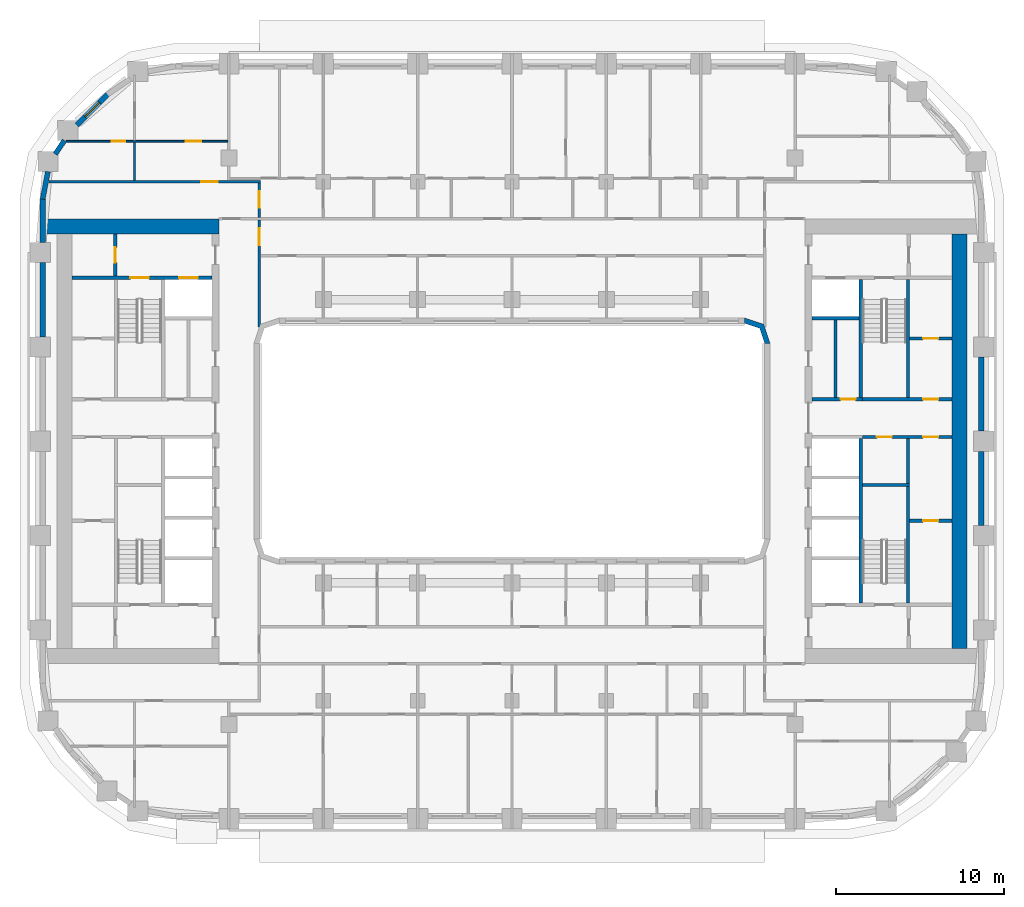
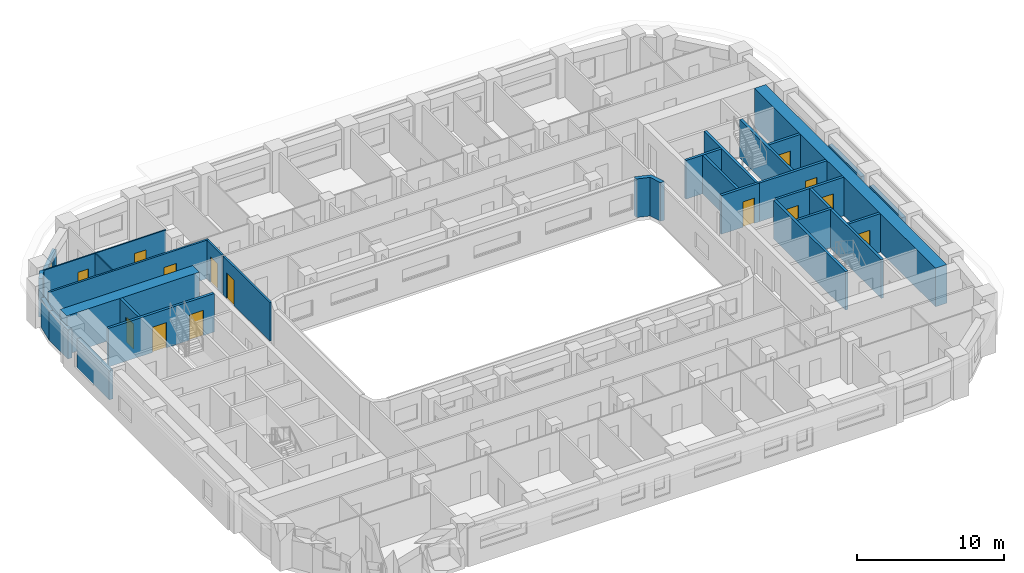
# One storey, part 8 of 23: 30 walls, 14 doors, 1 window, 15 openings.
"""IFC4 building model written with IfcOpenShell, lengths in metres."""

from ifc_helpers import new_model, si_unit, direction, frame, frame_2d, origin, place, context, subcontext, project, spatial, polyline, rectangle, outline, extrude, material, layer, layer_set, type_object, element, fill, save


model = new_model("IFC4")

# Units and contexts
model_context = context("Model", 3, precision=1e-05, world=origin(), true_north=direction((0.0, 1.0)))
body_context = subcontext(model_context, "Body", "Model", "MODEL_VIEW")
ifc_project = project(units=[si_unit("LENGTHUNIT", "METRE"), si_unit("AREAUNIT", "SQUARE_METRE"), si_unit("VOLUMEUNIT", "CUBIC_METRE"), si_unit("PLANEANGLEUNIT", "RADIAN"), si_unit("MASSUNIT", "GRAM", prefix="KILO")], contexts=[model_context])

# Site, building, storey
site_placement = place(None, origin())
site = spatial("IfcSite", under=ifc_project, at=site_placement, CompositionType="ELEMENT")
building_placement = place(site_placement, origin())
building = spatial("IfcBuilding", under=site, at=building_placement, Name="Kiln Ring Residences", CompositionType="ELEMENT")
storey_placement = place(building_placement, frame((0.0, 0.0, 118.300048828125)))
storey = spatial("IfcBuildingStorey", under=building, at=storey_placement, Name="L30", CompositionType="ELEMENT", Elevation=118.300048828125)

# Wall, opening, door
ifc_material_1 = material(Name="Gypsum board on steel studs", Category="steel")
ifc_layer_1 = layer(ifc_material_1, 0.199951171875)
ifc_layer_set_1 = layer_set([ifc_layer_1], Name="CORE-PARTITION-200")
wall_type_1 = type_object("IfcWallType", Name="CORE-PARTITION-200", PredefinedType="PARTITIONING", material=ifc_layer_set_1)
wall_1_placement = place(storey_placement, frame((-23.550048828125, 9.800048828125, 0.0), z_axis=(0.0, 0.0, 1.0), x_axis=(0.0, 1.0, 0.0)))
wall_1 = element("IfcWall", 1, at=wall_1_placement, inside=storey, type_object=wall_type_1, Name="Core partition west L30 4", PredefinedType="PARTITIONING", context=body_context, shape_type="SweptSolid", body=[
    extrude(rectangle(XDim=2.5, YDim=0.199951171875, at=frame_2d((1.25, 0.0))), origin(), (0.0, 0.0, 1.0), 3.199951171875),
])
opening_1_placement = place(wall_1_placement, frame((0.800048828125, 0.0, 0.0)))
opening_1 = element("IfcOpeningElement", 2, at=opening_1_placement, cuts=wall_1, Name="Opening L30-CW10", PredefinedType="OPENING", context=body_context, shape_type="SweptSolid", body=[
    extrude(rectangle(XDim=0.89990234375, YDim=2.10009765625, at=frame_2d((0.449951171875, 1.050048828125))), frame((0.0, 0.10986328125, 0.0), z_axis=(0.0, -1.0, 0.0), x_axis=(1.0, 0.0, 0.0)), (0.0, 0.0, 1.0), 0.219970703125),
])
ifc_material_2 = material(Name="Steel door leaf", Category="steel")
door_type_1 = type_object("IfcDoorType", Name="CORE-DOOR-ROOM", OperationType="SINGLE_SWING_LEFT", PredefinedType="DOOR", material=ifc_material_2)
door_1_placement = place(opening_1_placement, origin())
door_1 = element("IfcDoor", 3, at=door_1_placement, inside=storey, type_object=door_type_1, Name="Fire riser room L30-CW10", OperationType="SINGLE_SWING_RIGHT", OverallHeight=2.10009765625, OverallWidth=0.89990234375, PredefinedType="DOOR", context=body_context, shape_type="SweptSolid", body=[
    extrude(rectangle(XDim=0.89990234375, YDim=2.10009765625, at=frame_2d((0.449951171875, 1.050048828125))), frame((0.0, 0.02490234375, 0.0), z_axis=(0.0, -1.0, 0.0), x_axis=(1.0, 0.0, 0.0)), (0.0, 0.0, 1.0), 0.050048828125),
])
fill(opening_1, door_1)

# Wall
wall_2_placement = place(storey_placement, frame((23.5, -2.5, 0.0), z_axis=(0.0, 0.0, 1.0), x_axis=(0.0, 1.0, 0.0)))
element("IfcWall", 4, at=wall_2_placement, inside=storey, type_object=wall_type_1, Name="Core partition east L30 1", PredefinedType="PARTITIONING", context=body_context, shape_type="SweptSolid", body=[
    extrude(rectangle(XDim=2.64990234375, YDim=0.199951171875, at=frame_2d((1.324951171875, 0.0))), origin(), (0.0, 0.0, 1.0), 3.199951171875),
])

# Wall, openings, doors
wall_3_placement = place(storey_placement, frame((20.800048828125, 0.25, 0.0), z_axis=(0.0, 0.0, 1.0), x_axis=(1.0, 0.0, 0.0)))
wall_3 = element("IfcWall", 5, at=wall_3_placement, inside=storey, type_object=wall_type_1, Name="Core partition east L30 2", PredefinedType="PARTITIONING", context=body_context, shape_type="SweptSolid", body=[
    extrude(rectangle(XDim=5.300048828125, YDim=0.199951171875, at=frame_2d((2.64990234375, 0.0))), origin(), (0.0, 0.0, 1.0), 3.199951171875),
])
opening_2_placement = place(wall_3_placement, frame((0.85009765625, 0.0, 0.0)))
opening_2 = element("IfcOpeningElement", 6, at=opening_2_placement, cuts=wall_3, Name="Opening L30-CE15", PredefinedType="OPENING", context=body_context, shape_type="SweptSolid", body=[
    extrude(rectangle(XDim=0.89990234375, YDim=2.10009765625, at=frame_2d((0.449951171875, 1.050048828125))), frame((0.0, 0.10986328125, 0.0), z_axis=(0.0, -1.0, 0.0), x_axis=(1.0, 0.0, 0.0)), (0.0, 0.0, 1.0), 0.219970703125),
])
opening_3_placement = place(wall_3_placement, frame((3.60009765625, 0.0, 0.0)))
opening_3 = element("IfcOpeningElement", 7, at=opening_3_placement, cuts=wall_3, Name="Opening L30-CE17", PredefinedType="OPENING", context=body_context, shape_type="SweptSolid", body=[
    extrude(rectangle(XDim=0.89990234375, YDim=2.10009765625, at=frame_2d((0.449951171875, 1.050048828125))), frame((0.0, 0.10986328125, 0.0), z_axis=(0.0, -1.0, 0.0), x_axis=(1.0, 0.0, 0.0)), (0.0, 0.0, 1.0), 0.219970703125),
])
door_2_placement = place(opening_2_placement, origin())
door_2 = element("IfcDoor", 8, at=door_2_placement, inside=storey, type_object=door_type_1, Name="Comms room L30-CE15", OperationType="SINGLE_SWING_RIGHT", OverallHeight=2.10009765625, OverallWidth=0.89990234375, PredefinedType="DOOR", context=body_context, shape_type="SweptSolid", body=[
    extrude(rectangle(XDim=0.89990234375, YDim=2.10009765625, at=frame_2d((0.449951171875, 1.050048828125))), frame((0.0, 0.02490234375, 0.0), z_axis=(0.0, -1.0, 0.0), x_axis=(1.0, 0.0, 0.0)), (0.0, 0.0, 1.0), 0.050048828125),
])
fill(opening_2, door_2)
door_3_placement = place(opening_3_placement, origin())
door_3 = element("IfcDoor", 9, at=door_3_placement, inside=storey, type_object=door_type_1, Name="Meter room L30-CE17", OperationType="SINGLE_SWING_RIGHT", OverallHeight=2.10009765625, OverallWidth=0.89990234375, PredefinedType="DOOR", context=body_context, shape_type="SweptSolid", body=[
    extrude(rectangle(XDim=0.89990234375, YDim=2.10009765625, at=frame_2d((0.449951171875, 1.050048828125))), frame((0.0, 0.02490234375, 0.0), z_axis=(0.0, -1.0, 0.0), x_axis=(1.0, 0.0, 0.0)), (0.0, 0.0, 1.0), 0.050048828125),
])
fill(opening_3, door_3)

# Wall
wall_4_placement = place(storey_placement, frame((19.199951171875, 2.60009765625, 0.0), z_axis=(0.0, 0.0, 1.0), x_axis=(0.0, 1.0, 0.0)))
element("IfcWall", 10, at=wall_4_placement, inside=storey, type_object=wall_type_1, Name="Core partition east L30 3", PredefinedType="PARTITIONING", context=body_context, shape_type="SweptSolid", body=[
    extrude(rectangle(XDim=4.599853515625, YDim=0.199951171875, at=frame_2d((2.2998046875, 0.0))), origin(), (0.0, 0.0, 1.0), 3.199951171875),
])

# Wall, opening, door
wall_5_placement = place(storey_placement, frame((23.60009765625, -4.72509765625, 0.0), z_axis=(0.0, 0.0, 1.0), x_axis=(1.0, 0.0, 0.0)))
wall_5 = element("IfcWall", 11, at=wall_5_placement, inside=storey, type_object=wall_type_1, Name="Core partition east L30 6", PredefinedType="PARTITIONING", context=body_context, shape_type="SweptSolid", body=[
    extrude(rectangle(XDim=2.5, YDim=0.199951171875, at=frame_2d((1.25, 0.0))), origin(), (0.0, 0.0, 1.0), 3.199951171875),
])
opening_4_placement = place(wall_5_placement, frame((0.800048828125, 0.0, 0.0)))
opening_4 = element("IfcOpeningElement", 12, at=opening_4_placement, cuts=wall_5, Name="Opening L30-CE16", PredefinedType="OPENING", context=body_context, shape_type="SweptSolid", body=[
    extrude(rectangle(XDim=0.89990234375, YDim=2.10009765625, at=frame_2d((0.449951171875, 1.050048828125))), frame((0.0, 0.10986328125, 0.0), z_axis=(0.0, -1.0, 0.0), x_axis=(1.0, 0.0, 0.0)), (0.0, 0.0, 1.0), 0.219970703125),
])
door_4_placement = place(opening_4_placement, origin())
door_4 = element("IfcDoor", 13, at=door_4_placement, inside=storey, type_object=door_type_1, Name="Meter room L30-CE16", OperationType="SINGLE_SWING_RIGHT", OverallHeight=2.10009765625, OverallWidth=0.89990234375, PredefinedType="DOOR", context=body_context, shape_type="SweptSolid", body=[
    extrude(rectangle(XDim=0.89990234375, YDim=2.10009765625, at=frame_2d((0.449951171875, 1.050048828125))), frame((0.0, 0.02490234375, 0.0), z_axis=(0.0, -1.0, 0.0), x_axis=(1.0, 0.0, 0.0)), (0.0, 0.0, 1.0), 0.050048828125),
])
fill(opening_4, door_4)

wall_6_placement = place(storey_placement, frame((23.60009765625, 6.10009765625, 0.0), z_axis=(0.0, 0.0, 1.0), x_axis=(1.0, 0.0, 0.0)))
wall_6 = element("IfcWall", 14, at=wall_6_placement, inside=storey, type_object=wall_type_1, Name="Core partition east L30 7", PredefinedType="PARTITIONING", context=body_context, shape_type="SweptSolid", body=[
    extrude(rectangle(XDim=2.5, YDim=0.199951171875, at=frame_2d((1.25, 0.0))), origin(), (0.0, 0.0, 1.0), 3.199951171875),
])
opening_5_placement = place(wall_6_placement, frame((0.800048828125, 0.0, 0.0)))
opening_5 = element("IfcOpeningElement", 15, at=opening_5_placement, cuts=wall_6, Name="Opening L30-CE18", PredefinedType="OPENING", context=body_context, shape_type="SweptSolid", body=[
    extrude(rectangle(XDim=0.89990234375, YDim=2.10009765625, at=frame_2d((0.449951171875, 1.050048828125))), frame((0.0, 0.10986328125, 0.0), z_axis=(0.0, -1.0, 0.0), x_axis=(1.0, 0.0, 0.0)), (0.0, 0.0, 1.0), 0.219970703125),
])
door_5_placement = place(opening_5_placement, origin())
door_5 = element("IfcDoor", 16, at=door_5_placement, inside=storey, type_object=door_type_1, Name="Comms room L30-CE18", OperationType="SINGLE_SWING_RIGHT", OverallHeight=2.10009765625, OverallWidth=0.89990234375, PredefinedType="DOOR", context=body_context, shape_type="SweptSolid", body=[
    extrude(rectangle(XDim=0.89990234375, YDim=2.10009765625, at=frame_2d((0.449951171875, 1.050048828125))), frame((0.0, 0.02490234375, 0.0), z_axis=(0.0, -1.0, 0.0), x_axis=(1.0, 0.0, 0.0)), (0.0, 0.0, 1.0), 0.050048828125),
])
fill(opening_5, door_5)

ifc_material_3 = material(Name="Gypsum shaft wall system")
ifc_layer_2 = layer(ifc_material_3, 0.199951171875)
ifc_layer_set_2 = layer_set([ifc_layer_2], Name="CORE-SHAFT-WALL-200")
wall_type_2 = type_object("IfcWallType", Name="CORE-SHAFT-WALL-200", PredefinedType="PARTITIONING", material=ifc_layer_set_2)
wall_7_placement = place(storey_placement, frame((17.800048828125, 2.5, 0.0), z_axis=(0.0, 0.0, 1.0), x_axis=(1.0, 0.0, 0.0)))
wall_7 = element("IfcWall", 17, at=wall_7_placement, inside=storey, type_object=wall_type_2, Name="Core partition east L30 12", PredefinedType="PARTITIONING", context=body_context, shape_type="SweptSolid", body=[
    extrude(rectangle(XDim=3.0, YDim=0.199951171875, at=frame_2d((1.5, 0.0))), origin(), (0.0, 0.0, 1.0), 3.199951171875),
])
opening_6_placement = place(wall_7_placement, frame((1.699951171875, 0.0, 0.0)))
opening_6 = element("IfcOpeningElement", 18, at=opening_6_placement, cuts=wall_7, Name="Opening L30-CE06", PredefinedType="OPENING", context=body_context, shape_type="SweptSolid", body=[
    extrude(rectangle(XDim=0.89990234375, YDim=2.10009765625, at=frame_2d((0.449951171875, 1.050048828125))), frame((0.0, 0.10986328125, 0.0), z_axis=(0.0, -1.0, 0.0), x_axis=(1.0, 0.0, 0.0)), (0.0, 0.0, 1.0), 0.219970703125),
])
door_6_placement = place(opening_6_placement, origin())
door_6 = element("IfcDoor", 19, at=door_6_placement, inside=storey, type_object=door_type_1, Name="Linen store L30-CE06", OperationType="SINGLE_SWING_RIGHT", OverallHeight=2.10009765625, OverallWidth=0.89990234375, PredefinedType="DOOR", context=body_context, shape_type="SweptSolid", body=[
    extrude(rectangle(XDim=0.89990234375, YDim=2.10009765625, at=frame_2d((0.449951171875, 1.050048828125))), frame((0.0, 0.02490234375, 0.0), z_axis=(0.0, -1.0, 0.0), x_axis=(1.0, 0.0, 0.0)), (0.0, 0.0, 1.0), 0.050048828125),
])
fill(opening_6, door_6)

# Wall
wall_8_placement = place(storey_placement, frame((17.800048828125, 7.300048828125, 0.0), z_axis=(0.0, 0.0, 1.0), x_axis=(1.0, 0.0, 0.0)))
element("IfcWall", 20, at=wall_8_placement, inside=storey, type_object=wall_type_2, Name="Core partition east L30 13", PredefinedType="PARTITIONING", context=body_context, shape_type="SweptSolid", body=[
    extrude(rectangle(XDim=2.800048828125, YDim=0.199951171875, at=frame_2d((1.39990234375, 0.0))), origin(), (0.0, 0.0, 1.0), 3.199951171875),
])

# Wall, openings, doors
ifc_material_4 = material(Name="Concrete C40/50", Category="concrete")
ifc_layer_3 = layer(ifc_material_4, 0.199951171875)
ifc_layer_set_3 = layer_set([ifc_layer_3], Name="CORE-WALL-RC200")
wall_type_3 = type_object("IfcWallType", Name="CORE-WALL-RC200", PredefinedType="SHEAR", material=ifc_layer_set_3)
wall_9_placement = place(storey_placement, frame((-17.800048828125, 9.699951171875, 0.0), z_axis=(0.0, 0.0, 1.0), x_axis=(-1.0, 0.0, 0.0)))
wall_9 = element("IfcWall", 21, at=wall_9_placement, inside=storey, type_object=wall_type_3, Name="Core wall west L30 9", PredefinedType="SHEAR", context=body_context, shape_type="SweptSolid", body=[
    extrude(rectangle(XDim=8.300048828125, YDim=0.199951171875, at=frame_2d((4.14990234375, 0.0))), origin(), (0.0, 0.0, 1.0), 3.199951171875),
])
opening_7_placement = place(wall_9_placement, frame((0.85009765625, 0.0, 0.0)))
opening_7 = element("IfcOpeningElement", 22, at=opening_7_placement, cuts=wall_9, Name="Opening L30-CW07", PredefinedType="OPENING", context=body_context, shape_type="SweptSolid", body=[
    extrude(rectangle(XDim=1.10009765625, YDim=2.10009765625, at=frame_2d((0.550048828125, 1.050048828125))), frame((0.0, 0.10986328125, 0.0), z_axis=(0.0, -1.0, 0.0), x_axis=(1.0, 0.0, 0.0)), (0.0, 0.0, 1.0), 0.219970703125),
])
opening_8_placement = place(wall_9_placement, frame((3.75, 0.0, 0.0)))
opening_8 = element("IfcOpeningElement", 23, at=opening_8_placement, cuts=wall_9, Name="Opening L30-CW12", PredefinedType="OPENING", context=body_context, shape_type="SweptSolid", body=[
    extrude(rectangle(XDim=1.10009765625, YDim=2.10009765625, at=frame_2d((0.550048828125, 1.050048828125))), frame((0.0, 0.10986328125, 0.0), z_axis=(0.0, -1.0, 0.0), x_axis=(1.0, 0.0, 0.0)), (0.0, 0.0, 1.0), 0.219970703125),
])
ifc_material_5 = material(Name="Steel door leaf", Category="steel")
door_type_2 = type_object("IfcDoorType", Name="CORE-DOOR-LD", OperationType="DOUBLE_DOOR_SLIDING", PredefinedType="DOOR", material=ifc_material_5)
door_7_placement = place(opening_7_placement, origin())
door_7 = element("IfcDoor", 24, at=door_7_placement, inside=storey, type_object=door_type_2, Name="LD W-FF L30-CW07", OperationType="DOUBLE_DOOR_SLIDING", OverallHeight=2.10009765625, OverallWidth=1.10009765625, PredefinedType="DOOR", context=body_context, shape_type="SweptSolid", body=[
    extrude(rectangle(XDim=1.10009765625, YDim=2.10009765625, at=frame_2d((0.550048828125, 1.050048828125))), frame((0.0, 0.02490234375, 0.0), z_axis=(0.0, -1.0, 0.0), x_axis=(1.0, 0.0, 0.0)), (0.0, 0.0, 1.0), 0.050048828125),
])
fill(opening_7, door_7)
ifc_material_6 = material(Name="Steel door leaf", Category="steel")
door_type_3 = type_object("IfcDoorType", Name="CORE-DOOR-STAIR", OperationType="SINGLE_SWING_LEFT", PredefinedType="DOOR", material=ifc_material_6)
door_8_placement = place(opening_8_placement, origin())
door_8 = element("IfcDoor", 25, at=door_8_placement, inside=storey, type_object=door_type_3, Name="Stair W-STN L30-CW12", OperationType="SINGLE_SWING_RIGHT", OverallHeight=2.10009765625, OverallWidth=1.10009765625, PredefinedType="DOOR", context=body_context, shape_type="SweptSolid", body=[
    extrude(rectangle(XDim=1.10009765625, YDim=2.10009765625, at=frame_2d((0.550048828125, 1.050048828125))), frame((0.0, 0.02490234375, 0.0), z_axis=(0.0, -1.0, 0.0), x_axis=(1.0, 0.0, 0.0)), (0.0, 0.0, 1.0), 0.050048828125),
])
fill(opening_8, door_8)

# Walls
wall_10_placement = place(storey_placement, frame((20.699951171875, 2.60009765625, 0.0), z_axis=(0.0, 0.0, 1.0), x_axis=(0.0, 1.0, 0.0)))
element("IfcWall", 26, at=wall_10_placement, inside=storey, type_object=wall_type_3, Name="Core wall east L30 1", PredefinedType="SHEAR", context=body_context, shape_type="SweptSolid", body=[
    extrude(rectangle(XDim=7.0, YDim=0.199951171875, at=frame_2d((3.5, 0.0))), origin(), (0.0, 0.0, 1.0), 3.199951171875),
])
wall_11_placement = place(storey_placement, frame((20.699951171875, -9.60009765625, 0.0), z_axis=(0.0, 0.0, 1.0), x_axis=(0.0, 1.0, 0.0)))
element("IfcWall", 27, at=wall_11_placement, inside=storey, type_object=wall_type_3, Name="Core wall east L30 2", PredefinedType="SHEAR", context=body_context, shape_type="SweptSolid", body=[
    extrude(rectangle(XDim=9.75, YDim=0.199951171875, at=frame_2d((4.875, 0.0))), origin(), (0.0, 0.0, 1.0), 3.199951171875),
])

# Wall, opening, door
wall_12_placement = place(storey_placement, frame((20.800048828125, 2.5, 0.0), z_axis=(0.0, 0.0, 1.0), x_axis=(1.0, 0.0, 0.0)))
wall_12 = element("IfcWall", 28, at=wall_12_placement, inside=storey, type_object=wall_type_3, Name="Core wall east L30 3", PredefinedType="SHEAR", context=body_context, shape_type="SweptSolid", body=[
    extrude(rectangle(XDim=5.300048828125, YDim=0.199951171875, at=frame_2d((2.64990234375, 0.0))), origin(), (0.0, 0.0, 1.0), 3.199951171875),
])
opening_9_placement = place(wall_12_placement, frame((3.60009765625, 0.0, 0.0)))
opening_9 = element("IfcOpeningElement", 29, at=opening_9_placement, cuts=wall_12, Name="Opening L30-CE19", PredefinedType="OPENING", context=body_context, shape_type="SweptSolid", body=[
    extrude(rectangle(XDim=0.89990234375, YDim=2.10009765625, at=frame_2d((0.449951171875, 1.050048828125))), frame((0.0, 0.10986328125, 0.0), z_axis=(0.0, -1.0, 0.0), x_axis=(1.0, 0.0, 0.0)), (0.0, 0.0, 1.0), 0.219970703125),
])
door_9_placement = place(opening_9_placement, origin())
door_9 = element("IfcDoor", 30, at=door_9_placement, inside=storey, type_object=door_type_1, Name="Electrical plant room L30-CE19", OperationType="SINGLE_SWING_LEFT", OverallHeight=2.10009765625, OverallWidth=0.89990234375, PredefinedType="DOOR", context=body_context, shape_type="SweptSolid", body=[
    extrude(rectangle(XDim=0.89990234375, YDim=2.10009765625, at=frame_2d((0.449951171875, 1.050048828125))), frame((0.0, 0.02490234375, 0.0), z_axis=(0.0, -1.0, 0.0), x_axis=(1.0, 0.0, 0.0)), (0.0, 0.0, 1.0), 0.050048828125),
])
fill(opening_9, door_9)

# Walls
wall_13_placement = place(storey_placement, frame((23.5, 2.60009765625, 0.0), z_axis=(0.0, 0.0, 1.0), x_axis=(0.0, 1.0, 0.0)))
element("IfcWall", 31, at=wall_13_placement, inside=storey, type_object=wall_type_3, Name="Core wall east L30 10", PredefinedType="SHEAR", context=body_context, shape_type="SweptSolid", body=[
    extrude(rectangle(XDim=7.0, YDim=0.199951171875, at=frame_2d((3.5, 0.0))), origin(), (0.0, 0.0, 1.0), 3.199951171875),
])
wall_14_placement = place(storey_placement, frame((23.5, -9.60009765625, 0.0), z_axis=(0.0, 0.0, 1.0), x_axis=(0.0, 1.0, 0.0)))
element("IfcWall", 32, at=wall_14_placement, inside=storey, type_object=wall_type_3, Name="Core wall east L30 11", PredefinedType="SHEAR", context=body_context, shape_type="SweptSolid", body=[
    extrude(rectangle(XDim=6.900146484375, YDim=0.199951171875, at=frame_2d((3.4501953125, 0.0))), origin(), (0.0, 0.0, 1.0), 3.199951171875),
])
wall_15_placement = place(storey_placement, frame((20.800048828125, -2.60009765625, 0.0), z_axis=(0.0, 0.0, 1.0), x_axis=(1.0, 0.0, 0.0)))
element("IfcWall", 33, at=wall_15_placement, inside=storey, type_object=wall_type_3, Name="Core wall east L30 12", PredefinedType="SHEAR", context=body_context, shape_type="SweptSolid", body=[
    extrude(rectangle(XDim=2.800048828125, YDim=0.199951171875, at=frame_2d((1.39990234375, 0.0))), origin(), (0.0, 0.0, 1.0), 3.199951171875),
])
ifc_material_7 = material(Name="Concrete C60/75", Category="concrete")
ifc_layer_4 = layer(ifc_material_7, 0.89990234375)
ifc_layer_set_4 = layer_set([ifc_layer_4], Name="CORE-WALL-RC900")
wall_type_4 = type_object("IfcWallType", Name="CORE-WALL-RC900", PredefinedType="SHEAR", material=ifc_layer_set_4)
wall_16_placement = place(storey_placement, frame((-17.39990234375, 12.75, 0.0), z_axis=(0.0, 0.0, 1.0), x_axis=(-1.0, 0.0, 0.0)))
element("IfcWall", 34, at=wall_16_placement, inside=storey, type_object=wall_type_4, Name="Core wall west L30 4", PredefinedType="SHEAR", context=body_context, shape_type="SweptSolid", body=[
    extrude(rectangle(XDim=10.400146484375, YDim=0.89990234375, at=frame_2d((5.2001953125, 0.0))), origin(), (0.0, 0.0, 1.0), 3.199951171875),
])
wall_17_placement = place(storey_placement, frame((26.550048828125, -12.300048828125, 0.0), z_axis=(0.0, 0.0, 1.0), x_axis=(0.0, 1.0, 0.0)))
element("IfcWall", 35, at=wall_17_placement, inside=storey, type_object=wall_type_4, Name="Core wall east L30 7", PredefinedType="SHEAR", context=body_context, shape_type="SweptSolid", body=[
    extrude(rectangle(XDim=24.60009765625, YDim=0.89990234375, at=frame_2d((12.300048828125, 0.0))), origin(), (0.0, 0.0, 1.0), 3.199951171875),
])
ifc_material_8 = material(Name="Brick masonry, dark clay brick", Category="masonry")
ifc_layer_5 = layer(ifc_material_8, 0.300048828125)
ifc_layer_set_5 = layer_set([ifc_layer_5], Name="EW-300 BRICK WALL")
wall_type_5 = type_object("IfcWallType", Name="EW-300 BRICK WALL", PredefinedType="SOLIDWALL", material=ifc_layer_set_5)
for number, where, z_axis, x_axis, name in (
    (36, (27.85009765625, -5.0, 0.0), (0.0, 0.0, 1.0), (0.0, 1.0, 0.0), "Facade wall L30 19"),
    (37, (27.85009765625, 0.60009765625, 0.0), (0.0, 0.0, 1.0), (0.0, 1.0, 0.0), "Facade wall L30 20"),
):
    element("IfcWall", number, at=place(storey_placement, frame(where, z_axis=z_axis, x_axis=x_axis)), inside=storey, type_object=wall_type_5, Name=name, PredefinedType="SOLIDWALL", context=body_context, shape_type="SweptSolid", body=[
        extrude(rectangle(XDim=4.39990234375, YDim=0.300048828125, at=frame_2d((2.199951171875, 0.0))), origin(), (0.0, 0.0, 1.0), 2.39990234375),
    ])

# Wall, opening, window
wall_18_placement = place(storey_placement, frame((-23.990966796875, 20.596923828125, 0.0), z_axis=(0.0, 0.0, 1.0), x_axis=(-0.707106781187, -0.707106781187, 0.0)))
wall_18 = element("IfcWall", 38, at=wall_18_placement, inside=storey, type_object=wall_type_5, Name="Facade wall L30 38", PredefinedType="SOLIDWALL", context=body_context, shape_type="SweptSolid", body=[
    extrude(rectangle(XDim=2.60009765625, YDim=0.300048828125, at=frame_2d((1.300048828125, 0.0))), origin(), (0.0, 0.0, 1.0), 2.39990234375),
])
opening_10_placement = place(wall_18_placement, frame((0.699951171875, 0.0, 0.60009765625)))
opening_10 = element("IfcOpeningElement", 39, at=opening_10_placement, cuts=wall_18, Name="Opening W1", PredefinedType="OPENING", context=body_context, shape_type="SweptSolid", body=[
    extrude(rectangle(XDim=1.199951171875, YDim=1.550048828125, at=frame_2d((0.60009765625, 0.77490234375))), frame((0.0, 0.159912109375, 0.0), z_axis=(0.0, -1.0, 0.0), x_axis=(1.0, 0.0, 0.0)), (0.0, 0.0, 1.0), 0.320068359375),
])
ifc_material_9 = material(Name="Aluminium frame with double glazing", Category="aluminium")
window_type = type_object("IfcWindowType", Name="WINDOW 1200 x 1550", PartitioningType="SINGLE_PANEL", PredefinedType="WINDOW", material=ifc_material_9)
window_placement = place(opening_10_placement, origin())
window = element("IfcWindow", 40, at=window_placement, inside=storey, type_object=window_type, Name="Window L30 25", OverallHeight=1.550048828125, OverallWidth=1.199951171875, PartitioningType="SINGLE_PANEL", PredefinedType="WINDOW", context=body_context, shape_type="SweptSolid", body=[
    extrude(rectangle(XDim=1.199951171875, YDim=1.550048828125, at=frame_2d((0.60009765625, 0.77490234375))), frame((0.0, 0.030029296875, 0.0), z_axis=(0.0, -1.0, 0.0), x_axis=(1.0, 0.0, 0.0)), (0.0, 0.0, 1.0), 0.06005859375),
])
fill(opening_10, window)

# Walls
wall_19_placement = place(storey_placement, frame((-26.560546875, 17.85107421875, 0.0), z_axis=(0.0, 0.0, 1.0), x_axis=(-0.562173331661, -0.827019434577, 0.0)))
element("IfcWall", 41, at=wall_19_placement, inside=storey, type_object=wall_type_5, Name="Facade wall L30 39", PredefinedType="SOLIDWALL", context=body_context, shape_type="SweptSolid", body=[
    extrude(rectangle(XDim=0.97705078125, YDim=0.300048828125, at=frame_2d((0.488525390625, 0.0))), origin(), (0.0, 0.0, 1.0), 3.199951171875),
])
wall_20_placement = place(storey_placement, frame((-27.542236328125, 15.998779296875, 0.0), z_axis=(0.0, 0.0, 1.0), x_axis=(-0.187349172861, -0.982293381546, 0.0)))
element("IfcWall", 42, at=wall_20_placement, inside=storey, type_object=wall_type_5, Name="Facade wall L30 40", PredefinedType="SOLIDWALL", context=body_context, shape_type="SweptSolid", body=[
    extrude(rectangle(XDim=1.65625, YDim=0.300048828125, at=frame_2d((0.828125, 0.0))), origin(), (0.0, 0.0, 1.0), 2.39990234375),
])
wall_21_placement = place(storey_placement, frame((-27.85009765625, 14.39990234375, 0.0), z_axis=(0.0, 0.0, 1.0), x_axis=(0.0, -1.0, 0.0)))
element("IfcWall", 43, at=wall_21_placement, inside=storey, type_object=wall_type_5, Name="Facade wall L30 41", PredefinedType="SOLIDWALL", context=body_context, shape_type="SweptSolid", body=[
    extrude(rectangle(XDim=2.599853515625, YDim=0.300048828125, at=frame_2d((1.2998046875, 0.0))), origin(), (0.0, 0.0, 1.0), 2.39990234375),
])
wall_22_placement = place(storey_placement, frame((-27.85009765625, 10.60009765625, 0.0), z_axis=(0.0, 0.0, 1.0), x_axis=(0.0, -1.0, 0.0)))
element("IfcWall", 44, at=wall_22_placement, inside=storey, type_object=wall_type_5, Name="Facade wall L30 42", PredefinedType="SOLIDWALL", context=body_context, shape_type="SweptSolid", body=[
    extrude(rectangle(XDim=4.400146484375, YDim=0.300048828125, at=frame_2d((2.2001953125, 0.0))), origin(), (0.0, 0.0, 1.0), 2.39990234375),
])
wall_23_placement = place(storey_placement, origin())
element("IfcWall", 45, at=wall_23_placement, inside=storey, type_object=wall_type_5, Name="Corner wall L30 2", PredefinedType="SOLIDWALL", context=body_context, shape_type="SweptSolid", body=[
    extrude(outline(polyline([(14.937255859375, 6.937255859375), (13.8486328125, 7.300048828125), (13.800048828125, 7.300048828125), (13.800048828125, 7.0), (14.699951171875, 6.699951171875), (15.0, 5.800048828125), (15.300048828125, 5.800048828125), (15.300048828125, 5.8486328125), (14.937255859375, 6.937255859375)])), origin(), (0.0, 0.0, 1.0), 3.199951171875),
])

# Wall, openings, doors
ifc_material_10 = material(Name="Gypsum board on steel studs", Category="steel")
ifc_layer_6 = layer(ifc_material_10, 0.10009765625)
ifc_layer_set_6 = layer_set([ifc_layer_6], Name="PARTITION-100")
wall_type_6 = type_object("IfcWallType", Name="PARTITION-100", PredefinedType="PARTITIONING", material=ifc_layer_set_6)
wall_24_placement = place(storey_placement, frame((-26.465087890625, 17.800048828125, 0.0), z_axis=(0.0, 0.0, 1.0), x_axis=(1.0, 0.0, 0.0)))
wall_24 = element("IfcWall", 46, at=wall_24_placement, inside=storey, type_object=wall_type_6, Name="Partition 012", PredefinedType="PARTITIONING", context=body_context, shape_type="SweptSolid", body=[
    extrude(rectangle(XDim=9.590087890625, YDim=0.10009765625, at=frame_2d((4.794921875, 0.0))), origin(), (0.0, 0.0, 1.0), 3.199951171875),
])
opening_11_placement = place(wall_24_placement, frame((2.697265625, 0.0, 0.0)))
opening_11 = element("IfcOpeningElement", 47, at=opening_11_placement, cuts=wall_24, Name="Opening L30-D040", PredefinedType="OPENING", context=body_context, shape_type="SweptSolid", body=[
    extrude(rectangle(XDim=0.800048828125, YDim=2.10009765625, at=frame_2d((0.39990234375, 1.050048828125))), frame((0.0, 0.06005859375, 0.0), z_axis=(0.0, -1.0, 0.0), x_axis=(1.0, 0.0, 0.0)), (0.0, 0.0, 1.0), 0.1201171875),
])
opening_12_placement = place(wall_24_placement, frame((7.115234375, 0.0, 0.0)))
opening_12 = element("IfcOpeningElement", 48, at=opening_12_placement, cuts=wall_24, Name="Opening L30-D041", PredefinedType="OPENING", context=body_context, shape_type="SweptSolid", body=[
    extrude(rectangle(XDim=0.89990234375, YDim=2.10009765625, at=frame_2d((0.449951171875, 1.050048828125))), frame((0.0, 0.06005859375, 0.0), z_axis=(0.0, -1.0, 0.0), x_axis=(1.0, 0.0, 0.0)), (0.0, 0.0, 1.0), 0.1201171875),
])
ifc_material_11 = material(Name="Timber door leaf", Category="wood")
door_type_4 = type_object("IfcDoorType", Name="FLAT-DOOR-800-PL", OperationType="SINGLE_SWING_LEFT", PredefinedType="DOOR", material=ifc_material_11)
door_10_placement = place(opening_11_placement, origin())
door_10 = element("IfcDoor", 49, at=door_10_placement, inside=storey, type_object=door_type_4, Name="Door L30-D040", OperationType="SINGLE_SWING_RIGHT", OverallHeight=2.10009765625, OverallWidth=0.800048828125, PredefinedType="DOOR", context=body_context, shape_type="SweptSolid", body=[
    extrude(rectangle(XDim=0.800048828125, YDim=2.10009765625, at=frame_2d((0.39990234375, 1.050048828125))), frame((0.0, 0.02490234375, 0.0), z_axis=(0.0, -1.0, 0.0), x_axis=(1.0, 0.0, 0.0)), (0.0, 0.0, 1.0), 0.050048828125),
])
fill(opening_11, door_10)
ifc_material_12 = material(Name="Timber door leaf", Category="wood")
door_type_5 = type_object("IfcDoorType", Name="FLAT-DOOR-900-PL", OperationType="SINGLE_SWING_LEFT", PredefinedType="DOOR", material=ifc_material_12)
door_11_placement = place(opening_12_placement, origin())
door_11 = element("IfcDoor", 50, at=door_11_placement, inside=storey, type_object=door_type_5, Name="Door L30-D041", OperationType="SINGLE_SWING_LEFT", OverallHeight=2.10009765625, OverallWidth=0.89990234375, PredefinedType="DOOR", context=body_context, shape_type="SweptSolid", body=[
    extrude(rectangle(XDim=0.89990234375, YDim=2.10009765625, at=frame_2d((0.449951171875, 1.050048828125))), frame((0.0, 0.02490234375, 0.0), z_axis=(0.0, -1.0, 0.0), x_axis=(1.0, 0.0, 0.0)), (0.0, 0.0, 1.0), 0.050048828125),
])
fill(opening_12, door_11)

# Wall
wall_25_placement = place(storey_placement, frame((-22.39990234375, 15.47509765625, 0.0), z_axis=(0.0, 0.0, 1.0), x_axis=(0.0, 1.0, 0.0)))
element("IfcWall", 51, at=wall_25_placement, inside=storey, type_object=wall_type_6, Name="Partition 016", PredefinedType="PARTITIONING", context=body_context, shape_type="SweptSolid", body=[
    extrude(rectangle(XDim=2.27490234375, YDim=0.10009765625, at=frame_2d((1.137451171875, 0.0))), origin(), (0.0, 0.0, 1.0), 3.199951171875),
])

# Wall, opening, door
ifc_material_13 = material(Name="Brick masonry partition", Category="masonry")
ifc_layer_7 = layer(ifc_material_13, 0.14990234375)
ifc_layer_set_7 = layer_set([ifc_layer_7], Name="PARTITION-150-ei60")
wall_type_7 = type_object("IfcWallType", Name="PARTITION-150-ei60", PredefinedType="PARTITIONING", material=ifc_layer_set_7)
wall_26_placement = place(storey_placement, frame((-27.48388671875, 15.39990234375, 0.0), z_axis=(0.0, 0.0, 1.0), x_axis=(1.0, 0.0, 0.0)))
wall_26 = element("IfcWall", 52, at=wall_26_placement, inside=storey, type_object=wall_type_7, Name="Partition 009", PredefinedType="PARTITIONING", context=body_context, shape_type="SweptSolid", body=[
    extrude(rectangle(XDim=12.558837890625, YDim=0.14990234375, at=frame_2d((6.279296875, 0.0))), origin(), (0.0, 0.0, 1.0), 3.199951171875),
])
opening_13_placement = place(wall_26_placement, frame((9.03369140625, 0.0, 0.0)))
opening_13 = element("IfcOpeningElement", 53, at=opening_13_placement, cuts=wall_26, Name="Opening L30-D039", PredefinedType="OPENING", context=body_context, shape_type="SweptSolid", body=[
    extrude(rectangle(XDim=1.0, YDim=2.10009765625, at=frame_2d((0.5, 1.050048828125))), frame((0.0, 0.0849609375, 0.0), z_axis=(0.0, -1.0, 0.0), x_axis=(1.0, 0.0, 0.0)), (0.0, 0.0, 1.0), 0.169921875),
])
ifc_material_14 = material(Name="Steel faced fire door leaf", Category="steel")
door_type_6 = type_object("IfcDoorType", Name="FLAT-DOOR-1000-FR", OperationType="SINGLE_SWING_LEFT", PredefinedType="DOOR", material=ifc_material_14)
door_12_placement = place(opening_13_placement, origin())
door_12 = element("IfcDoor", 54, at=door_12_placement, inside=storey, type_object=door_type_6, Name="Door L30-D039", OperationType="SINGLE_SWING_LEFT", OverallHeight=2.10009765625, OverallWidth=1.0, PredefinedType="DOOR", context=body_context, shape_type="SweptSolid", body=[
    extrude(rectangle(XDim=1.0, YDim=2.10009765625, at=frame_2d((0.5, 1.050048828125))), frame((0.0, 0.02490234375, 0.0), z_axis=(0.0, -1.0, 0.0), x_axis=(1.0, 0.0, 0.0)), (0.0, 0.0, 1.0), 0.050048828125),
])
fill(opening_13, door_12)

wall_27_placement = place(storey_placement, frame((-15.0, 6.768798828125, 0.0), z_axis=(0.0, 0.0, 1.0), x_axis=(0.0, 1.0, 0.0)))
wall_27 = element("IfcWall", 55, at=wall_27_placement, inside=storey, type_object=wall_type_7, Name="Partition 022", PredefinedType="PARTITIONING", context=body_context, shape_type="SweptSolid", body=[
    extrude(rectangle(XDim=6.356201171875, YDim=0.14990234375, at=frame_2d((3.17822265625, 0.0))), origin(), (0.0, 0.0, 1.0), 3.199951171875),
])
opening_14_placement = place(wall_27_placement, frame((4.860107421875, 0.0, 0.0)))
opening_14 = element("IfcOpeningElement", 56, at=opening_14_placement, cuts=wall_27, Name="Opening L30-D001", PredefinedType="OPENING", context=body_context, shape_type="SweptSolid", body=[
    extrude(rectangle(XDim=1.0, YDim=2.10009765625, at=frame_2d((0.5, 1.050048828125))), frame((0.0, 0.0849609375, 0.0), z_axis=(0.0, -1.0, 0.0), x_axis=(1.0, 0.0, 0.0)), (0.0, 0.0, 1.0), 0.169921875),
])
door_13_placement = place(opening_14_placement, origin())
door_13 = element("IfcDoor", 57, at=door_13_placement, inside=storey, type_object=door_type_6, Name="Door L30-D001", OperationType="SINGLE_SWING_RIGHT", OverallHeight=2.10009765625, OverallWidth=1.0, PredefinedType="DOOR", context=body_context, shape_type="SweptSolid", body=[
    extrude(rectangle(XDim=1.0, YDim=2.10009765625, at=frame_2d((0.5, 1.050048828125))), frame((0.0, 0.02490234375, 0.0), z_axis=(0.0, -1.0, 0.0), x_axis=(1.0, 0.0, 0.0)), (0.0, 0.0, 1.0), 0.050048828125),
])
fill(opening_14, door_13)

wall_28_placement = place(storey_placement, frame((-15.0, 13.27490234375, 0.0), z_axis=(0.0, 0.0, 1.0), x_axis=(0.0, 1.0, 0.0)))
wall_28 = element("IfcWall", 58, at=wall_28_placement, inside=storey, type_object=wall_type_7, Name="Partition 023", PredefinedType="PARTITIONING", context=body_context, shape_type="SweptSolid", body=[
    extrude(rectangle(XDim=2.050048828125, YDim=0.14990234375, at=frame_2d((1.02490234375, 0.0))), origin(), (0.0, 0.0, 1.0), 3.199951171875),
])
opening_15_placement = place(wall_28_placement, frame((0.575927734375, 0.0, 0.0)))
opening_15 = element("IfcOpeningElement", 59, at=opening_15_placement, cuts=wall_28, Name="Opening L30-D015", PredefinedType="OPENING", context=body_context, shape_type="SweptSolid", body=[
    extrude(rectangle(XDim=1.0, YDim=2.10009765625, at=frame_2d((0.5, 1.050048828125))), frame((0.0, 0.0849609375, 0.0), z_axis=(0.0, -1.0, 0.0), x_axis=(1.0, 0.0, 0.0)), (0.0, 0.0, 1.0), 0.169921875),
])
door_14_placement = place(opening_15_placement, origin())
door_14 = element("IfcDoor", 60, at=door_14_placement, inside=storey, type_object=door_type_6, Name="Door L30-D015", OperationType="SINGLE_SWING_LEFT", OverallHeight=2.10009765625, OverallWidth=1.0, PredefinedType="DOOR", context=body_context, shape_type="SweptSolid", body=[
    extrude(rectangle(XDim=1.0, YDim=2.10009765625, at=frame_2d((0.5, 1.050048828125))), frame((0.0, 0.02490234375, 0.0), z_axis=(0.0, -1.0, 0.0), x_axis=(1.0, 0.0, 0.0)), (0.0, 0.0, 1.0), 0.050048828125),
])
fill(opening_15, door_14)

save(model, "model.ifc")
